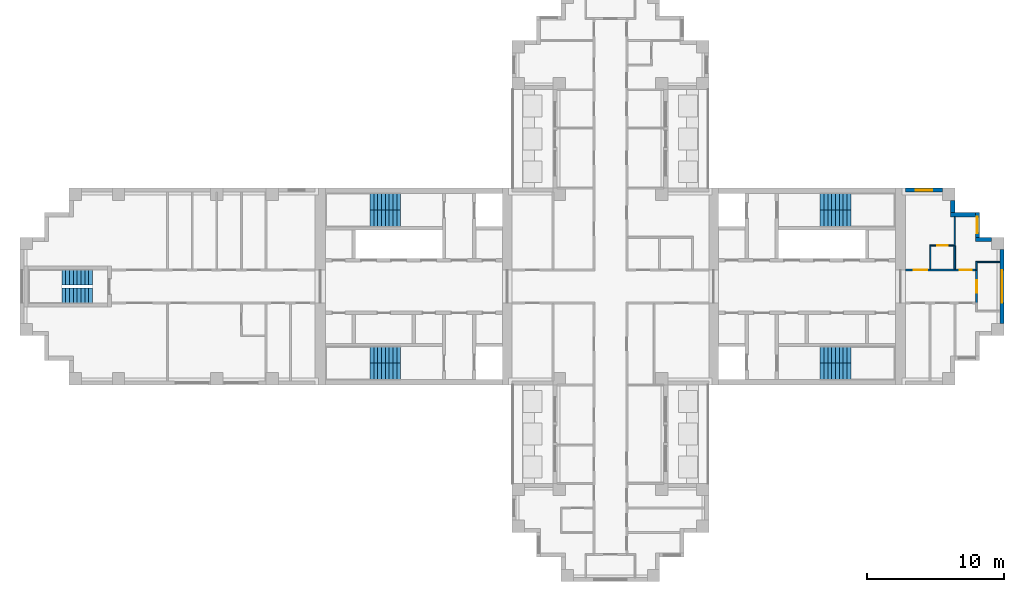
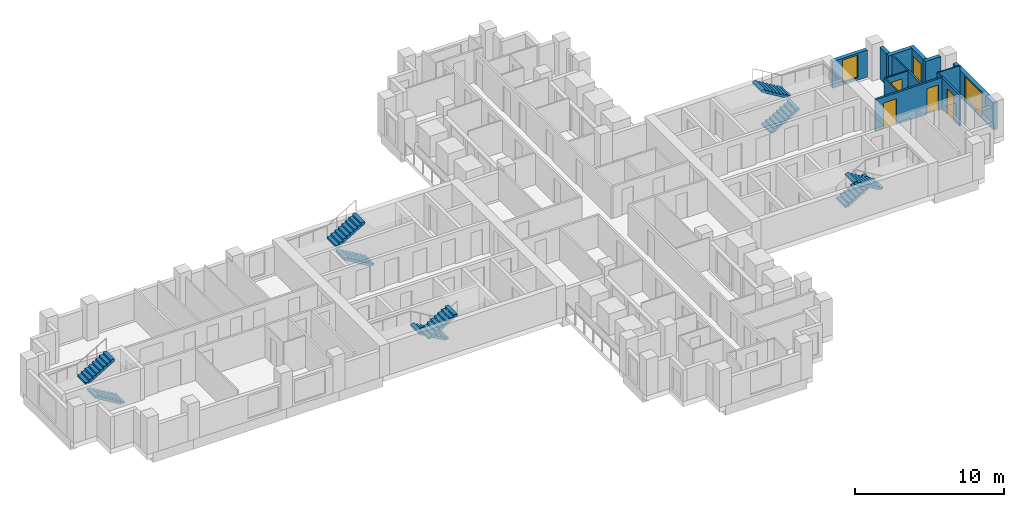
# One storey, part 8 of 10: 14 walls, 10 stair flights, 4 doors, 3 windows, 7 openings, 5 elements without a shape of their own.
"""IFC4 building model written with IfcOpenShell, lengths in metres."""

from ifc_helpers import new_model, si_unit, direction, frame, frame_2d, origin, place, context, subcontext, project, spatial, polyline, rectangle, outline, extrude, material, layer, layer_set, type_object, element, fill, aggregate, save


model = new_model("IFC4")

# Units and contexts
model_context = context("Model", 3, precision=1e-05, world=origin(), true_north=direction((0.0, 1.0)))
body_context = subcontext(model_context, "Body", "Model", "MODEL_VIEW")
ifc_project = project(units=[si_unit("LENGTHUNIT", "METRE"), si_unit("AREAUNIT", "SQUARE_METRE"), si_unit("VOLUMEUNIT", "CUBIC_METRE"), si_unit("PLANEANGLEUNIT", "RADIAN"), si_unit("MASSUNIT", "GRAM", prefix="KILO")], contexts=[model_context])

# Site, building, storey
site_placement = place(None, origin())
site = spatial("IfcSite", under=ifc_project, at=site_placement, CompositionType="ELEMENT")
building_placement = place(site_placement, origin())
building = spatial("IfcBuilding", under=site, at=building_placement, Name="Fustian Cross Tower", CompositionType="ELEMENT")
storey_placement = place(building_placement, frame((0.0, 0.0, 185.699951171875)))
storey = spatial("IfcBuildingStorey", under=building, at=storey_placement, Name="L58", CompositionType="ELEMENT", Elevation=185.699951171875)

# Wall, openings, doors
ifc_material_1 = material(Name="Plasterboard on steel stud", Category="steel")
ifc_layer_1 = layer(ifc_material_1, 0.14990234375)
ifc_layer_set_1 = layer_set([ifc_layer_1], Name="Plasterboard on steel stud")
wall_type_1 = type_object("IfcWallType", Name="COMPARTMENT WALL 150 EI 60", PredefinedType="PARTITIONING", material=ifc_layer_set_1)
wall_1_placement = place(storey_placement, frame((21.60009765625, 1.199951171875, 0.0), z_axis=(0.0, 0.0, 1.0), x_axis=(1.0, 0.0, 0.0)))
wall_1 = element("IfcWall", 1, at=wall_1_placement, inside=storey, type_object=wall_type_1, Name="Partition 59", PredefinedType="PARTITIONING", context=body_context, shape_type="SweptSolid", body=[
    extrude(rectangle(XDim=5.125, YDim=0.14990234375, at=frame_2d((2.5625, 0.0))), origin(), (0.0, 0.0, 1.0), 2.60009765625),
])
opening_1_placement = place(wall_1_placement, frame((0.60009765625, 0.0, 0.0)))
opening_1 = element("IfcOpeningElement", 2, at=opening_1_placement, cuts=wall_1, Name="Opening D26012", PredefinedType="OPENING", context=body_context, shape_type="SweptSolid", body=[
    extrude(rectangle(XDim=1.0, YDim=2.10009765625, at=frame_2d((0.5, 1.050048828125))), frame((0.0, 0.0849609375, 0.0), z_axis=(0.0, -1.0, 0.0), x_axis=(1.0, 0.0, 0.0)), (0.0, 0.0, 1.0), 0.169921875),
])
opening_2_placement = place(wall_1_placement, frame((3.949951171875, 0.0, 0.0)))
opening_2 = element("IfcOpeningElement", 3, at=opening_2_placement, cuts=wall_1, Name="Opening D26013", PredefinedType="OPENING", context=body_context, shape_type="SweptSolid", body=[
    extrude(rectangle(XDim=0.89990234375, YDim=2.10009765625, at=frame_2d((0.449951171875, 1.050048828125))), frame((0.0, 0.0849609375, 0.0), z_axis=(0.0, -1.0, 0.0), x_axis=(1.0, 0.0, 0.0)), (0.0, 0.0, 1.0), 0.169921875),
])
ifc_material_2 = material(Name="Timber fire door set", Category="wood")
door_type_1 = type_object("IfcDoorType", Name="FIRE SWING DOOR 1000 FD30S", OperationType="SINGLE_SWING_LEFT", PredefinedType="DOOR", material=ifc_material_2)
door_1_placement = place(opening_1_placement, origin())
door_1 = element("IfcDoor", 4, at=door_1_placement, inside=storey, type_object=door_type_1, Name="Door D26012", OperationType="SINGLE_SWING_RIGHT", OverallHeight=2.10009765625, OverallWidth=1.0, PredefinedType="DOOR", context=body_context, shape_type="SweptSolid", body=[
    extrude(rectangle(XDim=1.0, YDim=2.10009765625, at=frame_2d((0.5, 1.050048828125))), frame((0.0, 0.02490234375, 0.0), z_axis=(0.0, -1.0, 0.0), x_axis=(1.0, 0.0, 0.0)), (0.0, 0.0, 1.0), 0.050048828125),
])
fill(opening_1, door_1)
ifc_material_3 = material(Name="Timber fire door set", Category="wood")
door_type_2 = type_object("IfcDoorType", Name="FIRE SWING DOOR 900 FD30S", OperationType="SINGLE_SWING_LEFT", PredefinedType="DOOR", material=ifc_material_3)
door_2_placement = place(opening_2_placement, origin())
door_2 = element("IfcDoor", 5, at=door_2_placement, inside=storey, type_object=door_type_2, Name="Door D26013", OperationType="SINGLE_SWING_LEFT", OverallHeight=2.10009765625, OverallWidth=0.89990234375, PredefinedType="DOOR", context=body_context, shape_type="SweptSolid", body=[
    extrude(rectangle(XDim=0.89990234375, YDim=2.10009765625, at=frame_2d((0.449951171875, 1.050048828125))), frame((0.0, 0.02490234375, 0.0), z_axis=(0.0, -1.0, 0.0), x_axis=(1.0, 0.0, 0.0)), (0.0, 0.0, 1.0), 0.050048828125),
])
fill(opening_2, door_2)

# Wall, opening, door
wall_2_placement = place(storey_placement, frame((26.800048828125, -1.199951171875, 0.0), z_axis=(0.0, 0.0, 1.0), x_axis=(0.0, 1.0, 0.0)))
wall_2 = element("IfcWall", 6, at=wall_2_placement, inside=storey, type_object=wall_type_1, Name="Partition 68", PredefinedType="PARTITIONING", context=body_context, shape_type="SweptSolid", body=[
    extrude(rectangle(XDim=2.39990234375, YDim=0.14990234375, at=frame_2d((1.199951171875, 0.0))), origin(), (0.0, 0.0, 1.0), 2.60009765625),
])
opening_3_placement = place(wall_2_placement, frame((0.75, 0.0, 0.0)))
opening_3 = element("IfcOpeningElement", 7, at=opening_3_placement, cuts=wall_2, Name="Opening D26010", PredefinedType="OPENING", context=body_context, shape_type="SweptSolid", body=[
    extrude(rectangle(XDim=0.89990234375, YDim=2.10009765625, at=frame_2d((0.449951171875, 1.050048828125))), frame((0.0, 0.0849609375, 0.0), z_axis=(0.0, -1.0, 0.0), x_axis=(1.0, 0.0, 0.0)), (0.0, 0.0, 1.0), 0.169921875),
])
door_3_placement = place(opening_3_placement, frame((0.89990234375, 0.0, 0.0), z_axis=(0.0, 0.0, 1.0), x_axis=(-1.0, 0.0, 0.0)))
door_3 = element("IfcDoor", 8, at=door_3_placement, inside=storey, type_object=door_type_2, Name="Door D26010", OperationType="SINGLE_SWING_RIGHT", OverallHeight=2.10009765625, OverallWidth=0.89990234375, PredefinedType="DOOR", context=body_context, shape_type="SweptSolid", body=[
    extrude(rectangle(XDim=0.89990234375, YDim=2.10009765625, at=frame_2d((0.449951171875, 1.050048828125))), frame((0.0, 0.02490234375, 0.0), z_axis=(0.0, -1.0, 0.0), x_axis=(1.0, 0.0, 0.0)), (0.0, 0.0, 1.0), 0.050048828125),
])
fill(opening_3, door_3)

# Wall
ifc_material_4 = material(Name="Plasterboard on steel stud", Category="steel")
ifc_layer_2 = layer(ifc_material_4, 0.10009765625)
ifc_layer_set_2 = layer_set([ifc_layer_2], Name="Plasterboard on steel stud")
wall_type_2 = type_object("IfcWallType", Name="PARTITION 100 STUD", PredefinedType="PARTITIONING", material=ifc_layer_set_2)
wall_3_placement = place(storey_placement, frame((23.39990234375, 1.27490234375, 0.0), z_axis=(0.0, 0.0, 1.0), x_axis=(0.0, 1.0, 0.0)))
element("IfcWall", 9, at=wall_3_placement, inside=storey, type_object=wall_type_2, Name="Partition 61", PredefinedType="PARTITIONING", context=body_context, shape_type="SweptSolid", body=[
    extrude(rectangle(XDim=1.775146484375, YDim=0.10009765625, at=frame_2d((0.8876953125, 0.0))), origin(), (0.0, 0.0, 1.0), 2.60009765625),
])

# Wall, opening, door
wall_4_placement = place(storey_placement, frame((23.449951171875, 3.0, 0.0), z_axis=(0.0, 0.0, 1.0), x_axis=(1.0, 0.0, 0.0)))
wall_4 = element("IfcWall", 10, at=wall_4_placement, inside=storey, type_object=wall_type_2, Name="Partition 62", PredefinedType="PARTITIONING", context=body_context, shape_type="SweptSolid", body=[
    extrude(rectangle(XDim=1.6875, YDim=0.10009765625, at=frame_2d((0.84375, 0.0))), origin(), (0.0, 0.0, 1.0), 2.60009765625),
])
opening_4_placement = place(wall_4_placement, frame((0.449951171875, 0.0, 0.0)))
opening_4 = element("IfcOpeningElement", 11, at=opening_4_placement, cuts=wall_4, Name="Opening D26011", PredefinedType="OPENING", context=body_context, shape_type="SweptSolid", body=[
    extrude(rectangle(XDim=0.800048828125, YDim=2.10009765625, at=frame_2d((0.39990234375, 1.050048828125))), frame((0.0, 0.06005859375, 0.0), z_axis=(0.0, -1.0, 0.0), x_axis=(1.0, 0.0, 0.0)), (0.0, 0.0, 1.0), 0.1201171875),
])
ifc_material_5 = material(Name="Painted timber", Category="wood")
door_type_3 = type_object("IfcDoorType", Name="SWING DOOR 800", OperationType="SINGLE_SWING_LEFT", PredefinedType="DOOR", material=ifc_material_5)
door_4_placement = place(opening_4_placement, frame((0.800048828125, 0.0, 0.0), z_axis=(0.0, 0.0, 1.0), x_axis=(-1.0, 0.0, 0.0)))
door_4 = element("IfcDoor", 12, at=door_4_placement, inside=storey, type_object=door_type_3, Name="Door D26011", OperationType="SINGLE_SWING_LEFT", OverallHeight=2.10009765625, OverallWidth=0.800048828125, PredefinedType="DOOR", context=body_context, shape_type="SweptSolid", body=[
    extrude(rectangle(XDim=0.800048828125, YDim=2.10009765625, at=frame_2d((0.39990234375, 1.050048828125))), frame((0.0, 0.02490234375, 0.0), z_axis=(0.0, -1.0, 0.0), x_axis=(1.0, 0.0, 0.0)), (0.0, 0.0, 1.0), 0.050048828125),
])
fill(opening_4, door_4)

# Walls
wall_5_placement = place(storey_placement, frame((25.199951171875, 3.0, 0.0), z_axis=(0.0, 0.0, 1.0), x_axis=(0.0, 1.0, 0.0)))
element("IfcWall", 13, at=wall_5_placement, inside=storey, type_object=wall_type_2, Name="Partition 65", PredefinedType="PARTITIONING", context=body_context, shape_type="SweptSolid", body=[
    extrude(rectangle(XDim=2.10009765625, YDim=0.10009765625, at=frame_2d((1.050048828125, 0.0))), origin(), (0.0, 0.0, 1.0), 2.60009765625),
])
wall_6_placement = place(storey_placement, frame((26.800048828125, 1.199951171875, 0.0), z_axis=(0.0, 0.0, 1.0), x_axis=(0.0, 1.0, 0.0)))
element("IfcWall", 14, at=wall_6_placement, inside=storey, type_object=wall_type_2, Name="Partition 69", PredefinedType="PARTITIONING", context=body_context, shape_type="SweptSolid", body=[
    extrude(rectangle(XDim=0.650146484375, YDim=0.10009765625, at=frame_2d((0.3251953125, 0.0))), origin(), (0.0, 0.0, 1.0), 2.60009765625),
])
wall_7_placement = place(storey_placement, frame((26.85009765625, 1.800048828125, 0.0), z_axis=(0.0, 0.0, 1.0), x_axis=(1.0, 0.0, 0.0)))
element("IfcWall", 15, at=wall_7_placement, inside=storey, type_object=wall_type_2, Name="Partition 70", PredefinedType="PARTITIONING", context=body_context, shape_type="SweptSolid", body=[
    extrude(rectangle(XDim=1.64990234375, YDim=0.10009765625, at=frame_2d((0.824951171875, 0.0))), origin(), (0.0, 0.0, 1.0), 2.60009765625),
])
ifc_material_6 = material(Name="Plasterboard on steel stud", Category="steel")
ifc_layer_3 = layer(ifc_material_6, 0.125)
ifc_layer_set_3 = layer_set([ifc_layer_3], Name="Plasterboard on steel stud")
wall_type_3 = type_object("IfcWallType", Name="WET WALL 125 STUD", PredefinedType="PARTITIONING", material=ifc_layer_set_3)
wall_8_placement = place(storey_placement, frame((25.199951171875, 1.27490234375, 0.0), z_axis=(0.0, 0.0, 1.0), x_axis=(0.0, 1.0, 0.0)))
element("IfcWall", 16, at=wall_8_placement, inside=storey, type_object=wall_type_3, Name="Partition 64", PredefinedType="PARTITIONING", context=body_context, shape_type="SweptSolid", body=[
    extrude(rectangle(XDim=1.72509765625, YDim=0.125, at=frame_2d((0.862548828125, 0.0))), origin(), (0.0, 0.0, 1.0), 2.60009765625),
])

# Wall, opening, window
ifc_material_7 = material(Name="Dark aluminium cladding on insulated backing wall", Category="aluminium")
ifc_layer_4 = layer(ifc_material_7, 0.300048828125)
ifc_layer_set_4 = layer_set([ifc_layer_4], Name="Dark aluminium cladding on insulated backing wall")
wall_type_4 = type_object("IfcWallType", Name="XW1 EXTERNAL WALL 300", PredefinedType="SOLIDWALL", material=ifc_layer_set_4)
wall_9_placement = place(storey_placement, frame((28.64990234375, -2.699951171875, 0.0), z_axis=(0.0, 0.0, 1.0), x_axis=(0.0, 1.0, 0.0)))
wall_9 = element("IfcWall", 17, at=wall_9_placement, inside=storey, type_object=wall_type_4, Name="External wall", PredefinedType="SOLIDWALL", context=body_context, shape_type="SweptSolid", body=[
    extrude(rectangle(XDim=5.39990234375, YDim=0.300048828125, at=frame_2d((2.699951171875, 0.0))), origin(), (0.0, 0.0, 1.0), 2.199951171875),
])
opening_5_placement = place(wall_9_placement, frame((1.5, 0.0, 0.199951171875)))
opening_5 = element("IfcOpeningElement", 18, at=opening_5_placement, cuts=wall_9, Name="Opening WN1", PredefinedType="OPENING", context=body_context, shape_type="SweptSolid", body=[
    extrude(rectangle(XDim=2.39990234375, YDim=1.85009765625, at=frame_2d((1.199951171875, 0.925048828125))), frame((0.0, 0.159912109375, 0.0), z_axis=(0.0, -1.0, 0.0), x_axis=(1.0, 0.0, 0.0)), (0.0, 0.0, 1.0), 0.320068359375),
])
ifc_material_8 = material(Name="Dark anodised aluminium and double glazing", Category="aluminium")
window_type_1 = type_object("IfcWindowType", Name="WN1 WINDOW 2400X1850", PartitioningType="SINGLE_PANEL", PredefinedType="WINDOW", material=ifc_material_8)
window_1_placement = place(opening_5_placement, origin())
window_1 = element("IfcWindow", 19, at=window_1_placement, inside=storey, type_object=window_type_1, Name="Window", OverallHeight=1.85009765625, OverallWidth=2.39990234375, PartitioningType="SINGLE_PANEL", PredefinedType="WINDOW", context=body_context, shape_type="SweptSolid", body=[
    extrude(rectangle(XDim=2.39990234375, YDim=1.85009765625, at=frame_2d((1.199951171875, 0.925048828125))), frame((0.0, 0.030029296875, 0.0), z_axis=(0.0, -1.0, 0.0), x_axis=(1.0, 0.0, 0.0)), (0.0, 0.0, 1.0), 0.06005859375),
])
fill(opening_5, window_1)

# Wall
wall_10_placement = place(storey_placement, frame((27.89990234375, 3.449951171875, 0.0), z_axis=(0.0, 0.0, 1.0), x_axis=(-1.0, 0.0, 0.0)))
element("IfcWall", 20, at=wall_10_placement, inside=storey, type_object=wall_type_4, Name="External wall", PredefinedType="SOLIDWALL", context=body_context, shape_type="SweptSolid", body=[
    extrude(rectangle(XDim=1.199951171875, YDim=0.300048828125, at=frame_2d((0.60009765625, 0.0))), origin(), (0.0, 0.0, 1.0), 2.60009765625),
])

# Wall, opening, window
wall_11_placement = place(storey_placement, frame((26.85009765625, 3.60009765625, 0.0), z_axis=(0.0, 0.0, 1.0), x_axis=(0.0, 1.0, 0.0)))
wall_11 = element("IfcWall", 21, at=wall_11_placement, inside=storey, type_object=wall_type_4, Name="External wall", PredefinedType="SOLIDWALL", context=body_context, shape_type="SweptSolid", body=[
    extrude(rectangle(XDim=1.7998046875, YDim=0.300048828125, at=frame_2d((0.89990234375, 0.0))), origin(), (0.0, 0.0, 1.0), 2.60009765625),
])
opening_6_placement = place(wall_11_placement, frame((0.300048828125, 0.0, 0.199951171875)))
opening_6 = element("IfcOpeningElement", 22, at=opening_6_placement, cuts=wall_11, Name="Opening WN3", PredefinedType="OPENING", context=body_context, shape_type="SweptSolid", body=[
    extrude(rectangle(XDim=1.199951171875, YDim=1.85009765625, at=frame_2d((0.60009765625, 0.925048828125))), frame((0.0, 0.159912109375, 0.0), z_axis=(0.0, -1.0, 0.0), x_axis=(1.0, 0.0, 0.0)), (0.0, 0.0, 1.0), 0.320068359375),
])
ifc_material_9 = material(Name="Dark anodised aluminium and double glazing", Category="aluminium")
window_type_2 = type_object("IfcWindowType", Name="WN3 WINDOW 1200X1850", PartitioningType="SINGLE_PANEL", PredefinedType="WINDOW", material=ifc_material_9)
window_2_placement = place(opening_6_placement, origin())
window_2 = element("IfcWindow", 23, at=window_2_placement, inside=storey, type_object=window_type_2, Name="Window", OverallHeight=1.85009765625, OverallWidth=1.199951171875, PartitioningType="SINGLE_PANEL", PredefinedType="WINDOW", context=body_context, shape_type="SweptSolid", body=[
    extrude(rectangle(XDim=1.199951171875, YDim=1.85009765625, at=frame_2d((0.60009765625, 0.925048828125))), frame((0.0, 0.030029296875, 0.0), z_axis=(0.0, -1.0, 0.0), x_axis=(1.0, 0.0, 0.0)), (0.0, 0.0, 1.0), 0.06005859375),
])
fill(opening_6, window_2)

# Walls
wall_12_placement = place(storey_placement, frame((26.699951171875, 5.25, 0.0), z_axis=(0.0, 0.0, 1.0), x_axis=(-1.0, 0.0, 0.0)))
element("IfcWall", 24, at=wall_12_placement, inside=storey, type_object=wall_type_4, Name="External wall", PredefinedType="SOLIDWALL", context=body_context, shape_type="SweptSolid", body=[
    extrude(rectangle(XDim=1.800048828125, YDim=0.300048828125, at=frame_2d((0.89990234375, 0.0))), origin(), (0.0, 0.0, 1.0), 2.60009765625),
])
wall_13_placement = place(storey_placement, frame((25.050048828125, 5.39990234375, 0.0), z_axis=(0.0, 0.0, 1.0), x_axis=(0.0, 1.0, 0.0)))
element("IfcWall", 25, at=wall_13_placement, inside=storey, type_object=wall_type_4, Name="External wall", PredefinedType="SOLIDWALL", context=body_context, shape_type="SweptSolid", body=[
    extrude(rectangle(XDim=0.900146484375, YDim=0.300048828125, at=frame_2d((0.4501953125, 0.0))), origin(), (0.0, 0.0, 1.0), 2.60009765625),
])

# Wall, opening, window
wall_14_placement = place(storey_placement, frame((24.300048828125, 7.050048828125, 0.0), z_axis=(0.0, 0.0, 1.0), x_axis=(-1.0, 0.0, 0.0)))
wall_14 = element("IfcWall", 26, at=wall_14_placement, inside=storey, type_object=wall_type_4, Name="External wall", PredefinedType="SOLIDWALL", context=body_context, shape_type="SweptSolid", body=[
    extrude(rectangle(XDim=2.699951171875, YDim=0.300048828125, at=frame_2d((1.35009765625, 0.0))), origin(), (0.0, 0.0, 1.0), 2.199951171875),
])
opening_7_placement = place(wall_14_placement, frame((0.75, 0.0, 0.199951171875)))
opening_7 = element("IfcOpeningElement", 27, at=opening_7_placement, cuts=wall_14, Name="Opening WN3", PredefinedType="OPENING", context=body_context, shape_type="SweptSolid", body=[
    extrude(rectangle(XDim=1.199951171875, YDim=1.85009765625, at=frame_2d((0.60009765625, 0.925048828125))), frame((0.0, 0.159912109375, 0.0), z_axis=(0.0, -1.0, 0.0), x_axis=(1.0, 0.0, 0.0)), (0.0, 0.0, 1.0), 0.320068359375),
])
window_3_placement = place(opening_7_placement, origin())
window_3 = element("IfcWindow", 28, at=window_3_placement, inside=storey, type_object=window_type_2, Name="Window", OverallHeight=1.85009765625, OverallWidth=1.199951171875, PartitioningType="SINGLE_PANEL", PredefinedType="WINDOW", context=body_context, shape_type="SweptSolid", body=[
    extrude(rectangle(XDim=1.199951171875, YDim=1.85009765625, at=frame_2d((0.60009765625, 0.925048828125))), frame((0.0, 0.030029296875, 0.0), z_axis=(0.0, -1.0, 0.0), x_axis=(1.0, 0.0, 0.0)), (0.0, 0.0, 1.0), 0.06005859375),
])
fill(opening_7, window_3)

# Stair, stair flights
ifc_material_10 = material(Name="Concrete C50/60", Category="concrete")
stair_type_1 = type_object("IfcStairType", Name="STAIR 1100 HALF TURN", PredefinedType="HALF_TURN_STAIR", material=ifc_material_10)
stair_1_placement = place(storey_placement, origin())
stair_1 = element("IfcStair", 29, at=stair_1_placement, inside=storey, type_object=stair_type_1, Name="Stair ST9", PredefinedType="HALF_TURN_STAIR")
ifc_material_11 = material(Name="Concrete C50/60", Category="concrete")
stair_flight_type_1 = type_object("IfcStairFlightType", Name="STAIR FLIGHT 1100", PredefinedType="STRAIGHT", material=ifc_material_11)
stair_flight_1_placement = place(storey_placement, frame((-37.89990234375, -0.64990234375, 0.0), z_axis=(0.0, 0.0, 1.0), x_axis=(-1.0, 0.0, 0.0)))
stair_flight_1 = element("IfcStairFlight", 30, at=stair_flight_1_placement, type_object=stair_flight_type_1, Name="ST9 flight 1", NumberOfRisers=9, NumberOfTreads=8, PredefinedType="STRAIGHT", RiserHeight=0.166666667, TreadLength=0.28, context=body_context, shape_type="SweptSolid", body=[
    extrude(outline(polyline([(0.0, 0.0), (0.0, 0.166748046875), (0.280029296875, 0.166748046875), (0.280029296875, 0.333251953125), (0.56005859375, 0.333251953125), (0.56005859375, 0.5), (0.840087890625, 0.5), (0.840087890625, 0.666748046875), (1.1201171875, 0.666748046875), (1.1201171875, 0.833251953125), (1.39990234375, 0.833251953125), (1.39990234375, 1.0), (1.679931640625, 1.0), (1.679931640625, 1.166748046875), (1.9599609375, 1.166748046875), (1.9599609375, 1.333251953125), (2.239990234375, 1.333251953125), (2.239990234375, 1.5), (2.239990234375, 1.158935546875), (0.29296875, 0.0), (0.0, 0.0)])), frame((0.0, 0.550048828125, 0.0), z_axis=(0.0, -1.0, 0.0), x_axis=(1.0, 0.0, 0.0)), (0.0, 0.0, 1.0), 1.10009765625),
])
stair_flight_2_placement = place(storey_placement, frame((-40.139892578125, 0.64990234375, 1.5), z_axis=(0.0, 0.0, 1.0), x_axis=(1.0, 0.0, 0.0)))
stair_flight_2 = element("IfcStairFlight", 31, at=stair_flight_2_placement, type_object=stair_flight_type_1, Name="ST9 flight 2", NumberOfRisers=9, NumberOfTreads=8, PredefinedType="STRAIGHT", RiserHeight=0.166666667, TreadLength=0.28, context=body_context, shape_type="SweptSolid", body=[
    extrude(outline(polyline([(0.0, 0.0), (0.0, 0.166748046875), (0.280029296875, 0.166748046875), (0.280029296875, 0.333251953125), (0.56005859375, 0.333251953125), (0.56005859375, 0.5), (0.840087890625, 0.5), (0.840087890625, 0.666748046875), (1.1201171875, 0.666748046875), (1.1201171875, 0.833251953125), (1.39990234375, 0.833251953125), (1.39990234375, 1.0), (1.679931640625, 1.0), (1.679931640625, 1.166748046875), (1.9599609375, 1.166748046875), (1.9599609375, 1.333251953125), (2.239990234375, 1.333251953125), (2.239990234375, 1.5), (2.239990234375, 1.158935546875), (0.29296875, 0.0), (0.0, 0.0)])), frame((0.0, 0.550048828125, 0.0), z_axis=(0.0, -1.0, 0.0), x_axis=(1.0, 0.0, 0.0)), (0.0, 0.0, 1.0), 1.10009765625),
])
aggregate(stair_1, [stair_flight_1, stair_flight_2])

ifc_material_12 = material(Name="Concrete C50/60", Category="concrete")
stair_type_2 = type_object("IfcStairType", Name="STAIR 1200 HALF TURN", PredefinedType="HALF_TURN_STAIR", material=ifc_material_12)
stair_2_placement = place(storey_placement, origin())
stair_2 = element("IfcStair", 32, at=stair_2_placement, inside=storey, type_object=stair_type_2, Name="Stair ST1", PredefinedType="HALF_TURN_STAIR")
ifc_material_13 = material(Name="Concrete C50/60", Category="concrete")
stair_flight_type_2 = type_object("IfcStairFlightType", Name="STAIR FLIGHT 1200", PredefinedType="STRAIGHT", material=ifc_material_13)
stair_flight_3_placement = place(storey_placement, frame((15.35009765625, 5.0, 0.0), z_axis=(0.0, 0.0, 1.0), x_axis=(1.0, 0.0, 0.0)))
stair_flight_3 = element("IfcStairFlight", 33, at=stair_flight_3_placement, type_object=stair_flight_type_2, Name="ST1 flight 1", NumberOfRisers=9, NumberOfTreads=8, PredefinedType="STRAIGHT", RiserHeight=0.166666667, TreadLength=0.28, context=body_context, shape_type="SweptSolid", body=[
    extrude(outline(polyline([(0.0, 0.0), (0.0, 0.166748046875), (0.280029296875, 0.166748046875), (0.280029296875, 0.333251953125), (0.56005859375, 0.333251953125), (0.56005859375, 0.5), (0.840087890625, 0.5), (0.840087890625, 0.666748046875), (1.1201171875, 0.666748046875), (1.1201171875, 0.833251953125), (1.39990234375, 0.833251953125), (1.39990234375, 1.0), (1.679931640625, 1.0), (1.679931640625, 1.166748046875), (1.9599609375, 1.166748046875), (1.9599609375, 1.333251953125), (2.239990234375, 1.333251953125), (2.239990234375, 1.5), (2.239990234375, 1.158935546875), (0.29296875, 0.0), (0.0, 0.0)])), frame((0.0, 0.60009765625, 0.0), z_axis=(0.0, -1.0, 0.0), x_axis=(1.0, 0.0, 0.0)), (0.0, 0.0, 1.0), 1.199951171875),
])
stair_flight_4_placement = place(storey_placement, frame((17.590087890625, 6.199951171875, 1.5), z_axis=(0.0, 0.0, 1.0), x_axis=(-1.0, 0.0, 0.0)))
stair_flight_4 = element("IfcStairFlight", 34, at=stair_flight_4_placement, type_object=stair_flight_type_2, Name="ST1 flight 2", NumberOfRisers=9, NumberOfTreads=8, PredefinedType="STRAIGHT", RiserHeight=0.166666667, TreadLength=0.28, context=body_context, shape_type="SweptSolid", body=[
    extrude(outline(polyline([(0.0, 0.0), (0.0, 0.166748046875), (0.280029296875, 0.166748046875), (0.280029296875, 0.333251953125), (0.56005859375, 0.333251953125), (0.56005859375, 0.5), (0.840087890625, 0.5), (0.840087890625, 0.666748046875), (1.1201171875, 0.666748046875), (1.1201171875, 0.833251953125), (1.39990234375, 0.833251953125), (1.39990234375, 1.0), (1.679931640625, 1.0), (1.679931640625, 1.166748046875), (1.9599609375, 1.166748046875), (1.9599609375, 1.333251953125), (2.239990234375, 1.333251953125), (2.239990234375, 1.5), (2.239990234375, 1.158935546875), (0.29296875, 0.0), (0.0, 0.0)])), frame((0.0, 0.60009765625, 0.0), z_axis=(0.0, -1.0, 0.0), x_axis=(1.0, 0.0, 0.0)), (0.0, 0.0, 1.0), 1.199951171875),
])
aggregate(stair_2, [stair_flight_3, stair_flight_4])

stair_3_placement = place(storey_placement, origin())
stair_3 = element("IfcStair", 35, at=stair_3_placement, inside=storey, type_object=stair_type_2, Name="Stair ST2", PredefinedType="HALF_TURN_STAIR")
stair_flight_5_placement = place(storey_placement, frame((15.35009765625, -5.0, 0.0), z_axis=(0.0, 0.0, 1.0), x_axis=(1.0, 0.0, 0.0)))
stair_flight_5 = element("IfcStairFlight", 36, at=stair_flight_5_placement, type_object=stair_flight_type_2, Name="ST2 flight 1", NumberOfRisers=9, NumberOfTreads=8, PredefinedType="STRAIGHT", RiserHeight=0.166666667, TreadLength=0.28, context=body_context, shape_type="SweptSolid", body=[
    extrude(outline(polyline([(0.0, 0.0), (0.0, 0.166748046875), (0.280029296875, 0.166748046875), (0.280029296875, 0.333251953125), (0.56005859375, 0.333251953125), (0.56005859375, 0.5), (0.840087890625, 0.5), (0.840087890625, 0.666748046875), (1.1201171875, 0.666748046875), (1.1201171875, 0.833251953125), (1.39990234375, 0.833251953125), (1.39990234375, 1.0), (1.679931640625, 1.0), (1.679931640625, 1.166748046875), (1.9599609375, 1.166748046875), (1.9599609375, 1.333251953125), (2.239990234375, 1.333251953125), (2.239990234375, 1.5), (2.239990234375, 1.158935546875), (0.29296875, 0.0), (0.0, 0.0)])), frame((0.0, 0.60009765625, 0.0), z_axis=(0.0, -1.0, 0.0), x_axis=(1.0, 0.0, 0.0)), (0.0, 0.0, 1.0), 1.199951171875),
])
stair_flight_6_placement = place(storey_placement, frame((17.590087890625, -6.199951171875, 1.5), z_axis=(0.0, 0.0, 1.0), x_axis=(-1.0, 0.0, 0.0)))
stair_flight_6 = element("IfcStairFlight", 37, at=stair_flight_6_placement, type_object=stair_flight_type_2, Name="ST2 flight 2", NumberOfRisers=9, NumberOfTreads=8, PredefinedType="STRAIGHT", RiserHeight=0.166666667, TreadLength=0.28, context=body_context, shape_type="SweptSolid", body=[
    extrude(outline(polyline([(0.0, 0.0), (0.0, 0.166748046875), (0.280029296875, 0.166748046875), (0.280029296875, 0.333251953125), (0.56005859375, 0.333251953125), (0.56005859375, 0.5), (0.840087890625, 0.5), (0.840087890625, 0.666748046875), (1.1201171875, 0.666748046875), (1.1201171875, 0.833251953125), (1.39990234375, 0.833251953125), (1.39990234375, 1.0), (1.679931640625, 1.0), (1.679931640625, 1.166748046875), (1.9599609375, 1.166748046875), (1.9599609375, 1.333251953125), (2.239990234375, 1.333251953125), (2.239990234375, 1.5), (2.239990234375, 1.158935546875), (0.29296875, 0.0), (0.0, 0.0)])), frame((0.0, 0.60009765625, 0.0), z_axis=(0.0, -1.0, 0.0), x_axis=(1.0, 0.0, 0.0)), (0.0, 0.0, 1.0), 1.199951171875),
])
aggregate(stair_3, [stair_flight_5, stair_flight_6])

stair_4_placement = place(storey_placement, origin())
stair_4 = element("IfcStair", 38, at=stair_4_placement, inside=storey, type_object=stair_type_2, Name="Stair ST3", PredefinedType="HALF_TURN_STAIR")
stair_flight_7_placement = place(storey_placement, frame((-15.35009765625, 5.0, 0.0), z_axis=(0.0, 0.0, 1.0), x_axis=(-1.0, 0.0, 0.0)))
stair_flight_7 = element("IfcStairFlight", 39, at=stair_flight_7_placement, type_object=stair_flight_type_2, Name="ST3 flight 1", NumberOfRisers=9, NumberOfTreads=8, PredefinedType="STRAIGHT", RiserHeight=0.166666667, TreadLength=0.28, context=body_context, shape_type="SweptSolid", body=[
    extrude(outline(polyline([(0.0, 0.0), (0.0, 0.166748046875), (0.280029296875, 0.166748046875), (0.280029296875, 0.333251953125), (0.56005859375, 0.333251953125), (0.56005859375, 0.5), (0.840087890625, 0.5), (0.840087890625, 0.666748046875), (1.1201171875, 0.666748046875), (1.1201171875, 0.833251953125), (1.39990234375, 0.833251953125), (1.39990234375, 1.0), (1.679931640625, 1.0), (1.679931640625, 1.166748046875), (1.9599609375, 1.166748046875), (1.9599609375, 1.333251953125), (2.239990234375, 1.333251953125), (2.239990234375, 1.5), (2.239990234375, 1.158935546875), (0.29296875, 0.0), (0.0, 0.0)])), frame((0.0, 0.60009765625, 0.0), z_axis=(0.0, -1.0, 0.0), x_axis=(1.0, 0.0, 0.0)), (0.0, 0.0, 1.0), 1.199951171875),
])
stair_flight_8_placement = place(storey_placement, frame((-17.590087890625, 6.199951171875, 1.5), z_axis=(0.0, 0.0, 1.0), x_axis=(1.0, 0.0, 0.0)))
stair_flight_8 = element("IfcStairFlight", 40, at=stair_flight_8_placement, type_object=stair_flight_type_2, Name="ST3 flight 2", NumberOfRisers=9, NumberOfTreads=8, PredefinedType="STRAIGHT", RiserHeight=0.166666667, TreadLength=0.28, context=body_context, shape_type="SweptSolid", body=[
    extrude(outline(polyline([(0.0, 0.0), (0.0, 0.166748046875), (0.280029296875, 0.166748046875), (0.280029296875, 0.333251953125), (0.56005859375, 0.333251953125), (0.56005859375, 0.5), (0.840087890625, 0.5), (0.840087890625, 0.666748046875), (1.1201171875, 0.666748046875), (1.1201171875, 0.833251953125), (1.39990234375, 0.833251953125), (1.39990234375, 1.0), (1.679931640625, 1.0), (1.679931640625, 1.166748046875), (1.9599609375, 1.166748046875), (1.9599609375, 1.333251953125), (2.239990234375, 1.333251953125), (2.239990234375, 1.5), (2.239990234375, 1.158935546875), (0.29296875, 0.0), (0.0, 0.0)])), frame((0.0, 0.60009765625, 0.0), z_axis=(0.0, -1.0, 0.0), x_axis=(1.0, 0.0, 0.0)), (0.0, 0.0, 1.0), 1.199951171875),
])
aggregate(stair_4, [stair_flight_7, stair_flight_8])

stair_5_placement = place(storey_placement, origin())
stair_5 = element("IfcStair", 41, at=stair_5_placement, inside=storey, type_object=stair_type_2, Name="Stair ST4", PredefinedType="HALF_TURN_STAIR")
stair_flight_9_placement = place(storey_placement, frame((-15.35009765625, -5.0, 0.0), z_axis=(0.0, 0.0, 1.0), x_axis=(-1.0, 0.0, 0.0)))
stair_flight_9 = element("IfcStairFlight", 42, at=stair_flight_9_placement, type_object=stair_flight_type_2, Name="ST4 flight 1", NumberOfRisers=9, NumberOfTreads=8, PredefinedType="STRAIGHT", RiserHeight=0.166666667, TreadLength=0.28, context=body_context, shape_type="SweptSolid", body=[
    extrude(outline(polyline([(0.0, 0.0), (0.0, 0.166748046875), (0.280029296875, 0.166748046875), (0.280029296875, 0.333251953125), (0.56005859375, 0.333251953125), (0.56005859375, 0.5), (0.840087890625, 0.5), (0.840087890625, 0.666748046875), (1.1201171875, 0.666748046875), (1.1201171875, 0.833251953125), (1.39990234375, 0.833251953125), (1.39990234375, 1.0), (1.679931640625, 1.0), (1.679931640625, 1.166748046875), (1.9599609375, 1.166748046875), (1.9599609375, 1.333251953125), (2.239990234375, 1.333251953125), (2.239990234375, 1.5), (2.239990234375, 1.158935546875), (0.29296875, 0.0), (0.0, 0.0)])), frame((0.0, 0.60009765625, 0.0), z_axis=(0.0, -1.0, 0.0), x_axis=(1.0, 0.0, 0.0)), (0.0, 0.0, 1.0), 1.199951171875),
])
stair_flight_10_placement = place(storey_placement, frame((-17.590087890625, -6.199951171875, 1.5), z_axis=(0.0, 0.0, 1.0), x_axis=(1.0, 0.0, 0.0)))
stair_flight_10 = element("IfcStairFlight", 43, at=stair_flight_10_placement, type_object=stair_flight_type_2, Name="ST4 flight 2", NumberOfRisers=9, NumberOfTreads=8, PredefinedType="STRAIGHT", RiserHeight=0.166666667, TreadLength=0.28, context=body_context, shape_type="SweptSolid", body=[
    extrude(outline(polyline([(0.0, 0.0), (0.0, 0.166748046875), (0.280029296875, 0.166748046875), (0.280029296875, 0.333251953125), (0.56005859375, 0.333251953125), (0.56005859375, 0.5), (0.840087890625, 0.5), (0.840087890625, 0.666748046875), (1.1201171875, 0.666748046875), (1.1201171875, 0.833251953125), (1.39990234375, 0.833251953125), (1.39990234375, 1.0), (1.679931640625, 1.0), (1.679931640625, 1.166748046875), (1.9599609375, 1.166748046875), (1.9599609375, 1.333251953125), (2.239990234375, 1.333251953125), (2.239990234375, 1.5), (2.239990234375, 1.158935546875), (0.29296875, 0.0), (0.0, 0.0)])), frame((0.0, 0.60009765625, 0.0), z_axis=(0.0, -1.0, 0.0), x_axis=(1.0, 0.0, 0.0)), (0.0, 0.0, 1.0), 1.199951171875),
])
aggregate(stair_5, [stair_flight_9, stair_flight_10])

save(model, "model.ifc")
